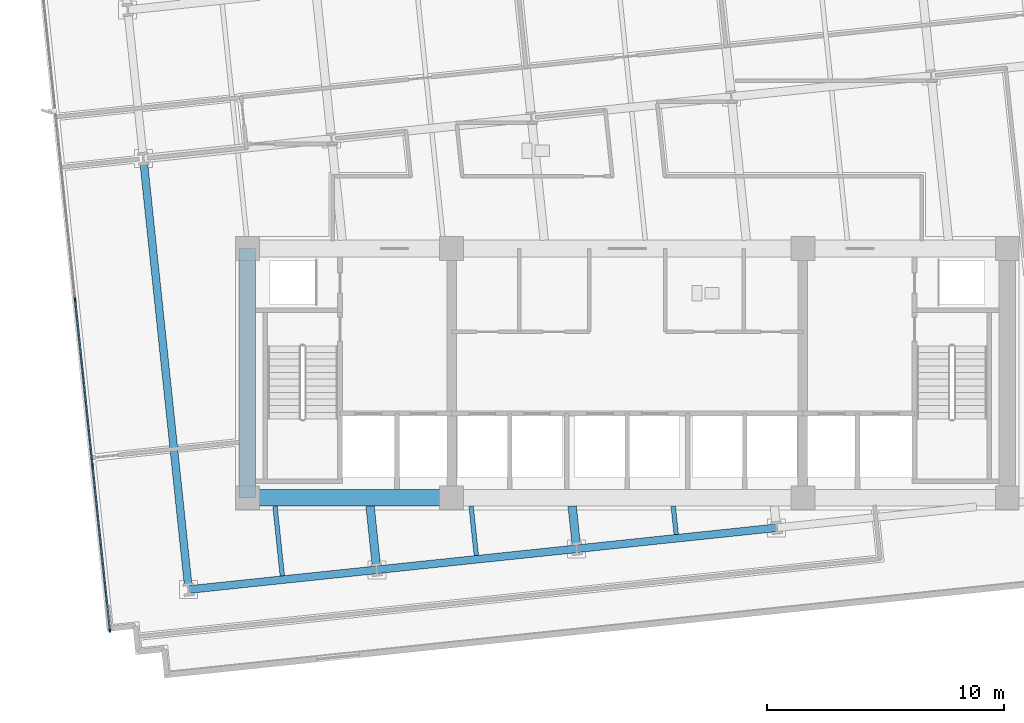
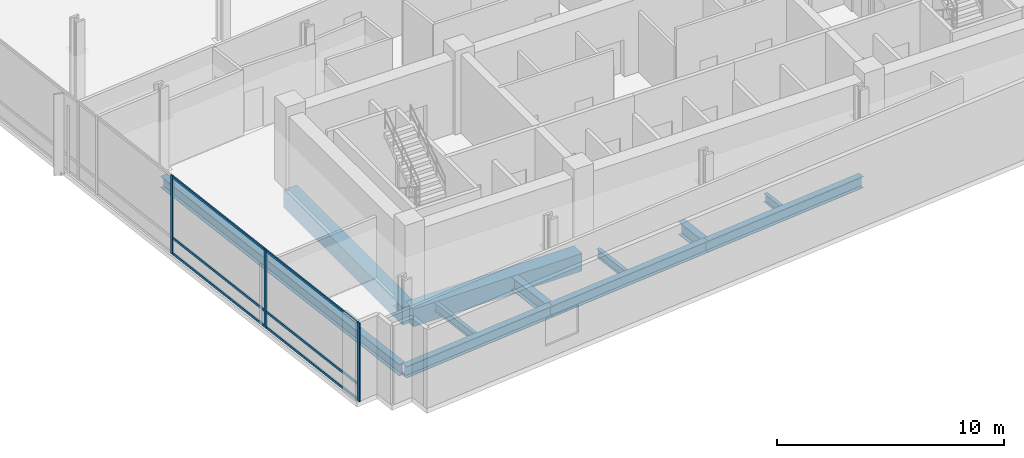
# One storey, part 2 of 20: 11 beams, 9 members, 1 element without a shape of its own.
"""IFC4 building model written with IfcOpenShell, lengths in metres."""

from ifc_helpers import new_model, si_unit, direction, frame, origin, origin_2d, place, context, subcontext, project, spatial, rectangle, i_section, extrude, material, material_profile, profile_set, type_object, element, aggregate, save


model = new_model("IFC4")

# Units and contexts
model_context = context("Model", 3, precision=1e-05, world=origin(), true_north=direction((0.0, 1.0)))
body_context = subcontext(model_context, "Body", "Model", "MODEL_VIEW")
ifc_project = project(units=[si_unit("LENGTHUNIT", "METRE"), si_unit("AREAUNIT", "SQUARE_METRE"), si_unit("VOLUMEUNIT", "CUBIC_METRE"), si_unit("PLANEANGLEUNIT", "RADIAN"), si_unit("MASSUNIT", "GRAM", prefix="KILO")], contexts=[model_context])

# Site, building, storey
site_placement = place(None, origin())
site = spatial("IfcSite", under=ifc_project, at=site_placement, CompositionType="ELEMENT")
building_placement = place(site_placement, origin())
building = spatial("IfcBuilding", under=site, at=building_placement, Name="Solmavex Isthmus Hotel", CompositionType="ELEMENT")
storey_placement = place(building_placement, frame((0.0, 0.0, 97.35009765625)))
storey = spatial("IfcBuildingStorey", under=building, at=storey_placement, Name="L26", CompositionType="ELEMENT", Elevation=97.35009765625)

# Beams
ifc_material_1 = material(Name="Steel ASTM A992 Grade 50", Category="steel")
ifc_material_profile_1 = material_profile(ifc_material_1, i_section(OverallWidth=0.354736328125, OverallDepth=0.695556640625, WebThickness=0.015380859375, FlangeThickness=0.02490234375, FilletRadius=0.017822265625, at=origin_2d()), Name="W27X146")
ifc_profile_set_1 = profile_set([ifc_material_profile_1], Name="Steel ASTM A992 Grade 50")
beam_type_1 = type_object("IfcBeamType", Name="BM-BG-W27X146", PredefinedType="BEAM", material=ifc_profile_set_1)
beam_1_placement = place(storey_placement, frame((-10.568115234375, -15.868896484375, -0.60791015625), z_axis=(-0.104589444628, 0.994515484079, 0.0), x_axis=(-0.994515484079, -0.104589444628, 0.0)))
element("IfcBeam", 1, at=beam_1_placement, inside=storey, type_object=beam_type_1, Name="Floor Beam L26-VG28", PredefinedType="BEAM", context=body_context, shape_type="SweptSolid", body=[
    extrude(i_section(OverallWidth=0.354736328125, OverallDepth=0.695556640625, WebThickness=0.015380859375, FlangeThickness=0.02490234375, FilletRadius=0.017822265625, at=origin_2d()), origin(), (0.0, 0.0, 1.0), 2.53271484375),
])
beam_2_placement = place(storey_placement, frame((-2.148681640625, -14.984130859375, -0.60791015625), z_axis=(-0.104460468373, 0.99452903957, 0.0), x_axis=(-0.99452903957, -0.104460468373, 0.0)))
element("IfcBeam", 2, at=beam_2_placement, inside=storey, type_object=beam_type_1, Name="Floor Beam L26-VG32", PredefinedType="BEAM", context=body_context, shape_type="SweptSolid", body=[
    extrude(i_section(OverallWidth=0.354736328125, OverallDepth=0.695556640625, WebThickness=0.015380859375, FlangeThickness=0.02490234375, FilletRadius=0.017822265625, at=origin_2d()), origin(), (0.0, 0.0, 1.0), 1.64306640625),
])
ifc_material_profile_2 = material_profile(ifc_material_1, i_section(OverallWidth=0.1904296875, OverallDepth=0.456787109375, WebThickness=0.009033203125, FlangeThickness=0.014404296875, FilletRadius=0.0126953125, at=origin_2d()), Name="W18X50")
ifc_profile_set_2 = profile_set([ifc_material_profile_2], Name="Steel ASTM A992 Grade 50")
beam_type_2 = type_object("IfcBeamType", Name="BM-BJ-W18X50", PredefinedType="JOIST", material=ifc_profile_set_2)
beam_3_placement = place(storey_placement, frame((-14.5302734375, -16.285400390625, -0.488525390625), z_axis=(-0.104555607512, 0.994519042019, 0.0), x_axis=(-0.994519042019, -0.104555607512, 0.0)))
element("IfcBeam", 3, at=beam_3_placement, inside=storey, type_object=beam_type_2, Name="Secondary Floor Joist L26-J01", PredefinedType="JOIST", context=body_context, shape_type="SweptSolid", body=[
    extrude(i_section(OverallWidth=0.1904296875, OverallDepth=0.456787109375, WebThickness=0.009033203125, FlangeThickness=0.014404296875, FilletRadius=0.0126953125, at=origin_2d()), origin(), (0.0, 0.0, 1.0), 2.951416015625),
])
beam_4_placement = place(storey_placement, frame((-6.3583984375, -15.426513671875, -0.488525390625), z_axis=(-0.104538696399, 0.99452081977, 0.0), x_axis=(-0.99452081977, -0.104538696399, 0.0)))
element("IfcBeam", 4, at=beam_4_placement, inside=storey, type_object=beam_type_2, Name="Secondary Floor Joist L26-J05", PredefinedType="JOIST", context=body_context, shape_type="SweptSolid", body=[
    extrude(i_section(OverallWidth=0.1904296875, OverallDepth=0.456787109375, WebThickness=0.009033203125, FlangeThickness=0.014404296875, FilletRadius=0.0126953125, at=origin_2d()), origin(), (0.0, 0.0, 1.0), 2.087890625),
])
beam_5_placement = place(storey_placement, frame((2.061279296875, -14.54150390625, -0.488525390625), z_axis=(-0.104546872872, 0.994519960269, 0.0), x_axis=(-0.994519960269, -0.104546872872, 0.0)))
element("IfcBeam", 5, at=beam_5_placement, inside=storey, type_object=beam_type_2, Name="Secondary Floor Joist L26-J09", PredefinedType="JOIST", context=body_context, shape_type="SweptSolid", body=[
    extrude(i_section(OverallWidth=0.1904296875, OverallDepth=0.456787109375, WebThickness=0.009033203125, FlangeThickness=0.014404296875, FilletRadius=0.0126953125, at=origin_2d()), origin(), (0.0, 0.0, 1.0), 1.197998046875),
])
ifc_material_2 = material(Name="Concrete C60/75", Category="concrete")
ifc_material_profile_3 = material_profile(ifc_material_2, rectangle(XDim=0.699951171875, YDim=0.949951171875, at=origin_2d()), Name="RC700X950")
ifc_profile_set_3 = profile_set([ifc_material_profile_3], Name="Concrete C60/75")
beam_type_3 = type_object("IfcBeamType", Name="BM-CB-700X950", PredefinedType="BEAM", material=ifc_profile_set_3)
beam_6_placement = place(storey_placement, frame((-16.0, -13.0, -0.735107421875), z_axis=(1.0, 0.0, 0.0), x_axis=(0.0, 1.0, 0.0)))
element("IfcBeam", 6, at=beam_6_placement, inside=storey, type_object=beam_type_3, Name="Core Coupling Beam L26-CB1", PredefinedType="BEAM", context=body_context, shape_type="SweptSolid", body=[
    extrude(rectangle(XDim=0.699951171875, YDim=0.949951171875, at=origin_2d()), origin(), (0.0, 0.0, 1.0), 8.60009765625),
])
beam_7_placement = place(storey_placement, frame((-16.0, -13.0, -0.735107421875), z_axis=(0.0, 1.0, 0.0), x_axis=(-1.0, 0.0, 0.0)))
element("IfcBeam", 7, at=beam_7_placement, inside=storey, type_object=beam_type_3, Name="Core Coupling Beam L26-CB7", PredefinedType="BEAM", context=body_context, shape_type="SweptSolid", body=[
    extrude(rectangle(XDim=0.699951171875, YDim=0.949951171875, at=origin_2d()), origin(), (0.0, 0.0, 1.0), 10.5),
])
ifc_material_profile_4 = material_profile(ifc_material_1, i_section(OverallWidth=0.326416015625, OverallDepth=0.621826171875, WebThickness=0.015380859375, FlangeThickness=0.0244140625, FilletRadius=0.01513671875, at=origin_2d()), Name="W24X131")
ifc_profile_set_4 = profile_set([ifc_material_profile_4], Name="Steel ASTM A992 Grade 50")
beam_type_4 = type_object("IfcBeamType", Name="BM-SP-W24X131", PredefinedType="SPANDREL", material=ifc_profile_set_4)
beam_8_placement = place(storey_placement, frame((-18.475341796875, -16.8642578125, -0.571044921875), z_axis=(0.994523402738, 0.104514120609, 0.0), x_axis=(-0.104514120609, 0.994523402738, 0.0)))
element("IfcBeam", 8, at=beam_8_placement, inside=storey, type_object=beam_type_4, Name="Floor Girder L26-UG01", PredefinedType="SPANDREL", context=body_context, shape_type="SweptSolid", body=[
    extrude(i_section(OverallWidth=0.326416015625, OverallDepth=0.621826171875, WebThickness=0.015380859375, FlangeThickness=0.0244140625, FilletRadius=0.01513671875, at=origin_2d()), origin(), (0.0, 0.0, 1.0), 7.968017578125),
])
beam_9_placement = place(storey_placement, frame((-10.551025390625, -16.031494140625, -0.571044921875), z_axis=(0.994520770064, 0.104539169271, 0.0), x_axis=(-0.104539169271, 0.994520770064, 0.0)))
element("IfcBeam", 9, at=beam_9_placement, inside=storey, type_object=beam_type_4, Name="Floor Girder L26-UG02", PredefinedType="SPANDREL", context=body_context, shape_type="SweptSolid", body=[
    extrude(i_section(OverallWidth=0.326416015625, OverallDepth=0.621826171875, WebThickness=0.015380859375, FlangeThickness=0.0244140625, FilletRadius=0.01513671875, at=origin_2d()), origin(), (0.0, 0.0, 1.0), 8.4658203125),
])
beam_10_placement = place(storey_placement, frame((-2.131591796875, -15.146484375, -0.571044921875), z_axis=(0.994521085209, 0.104536171134, 0.0), x_axis=(-0.104536171134, 0.994521085209, 0.0)))
element("IfcBeam", 10, at=beam_10_placement, inside=storey, type_object=beam_type_4, Name="Floor Girder L26-UG03", PredefinedType="SPANDREL", context=body_context, shape_type="SweptSolid", body=[
    extrude(i_section(OverallWidth=0.326416015625, OverallDepth=0.621826171875, WebThickness=0.015380859375, FlangeThickness=0.0244140625, FilletRadius=0.01513671875, at=origin_2d()), origin(), (0.0, 0.0, 1.0), 8.466064453125),
])
beam_11_placement = place(storey_placement, frame((-18.492431640625, -16.701904296875, -0.571044921875), z_axis=(-0.104530088192, 0.99452172458, 0.0), x_axis=(-0.99452172458, -0.104530088192, 0.0)))
element("IfcBeam", 11, at=beam_11_placement, inside=storey, type_object=beam_type_4, Name="Floor Beam L26-VG25", PredefinedType="SPANDREL", context=body_context, shape_type="SweptSolid", body=[
    extrude(i_section(OverallWidth=0.326416015625, OverallDepth=0.621826171875, WebThickness=0.015380859375, FlangeThickness=0.0244140625, FilletRadius=0.01513671875, at=origin_2d()), origin(), (0.0, 0.0, 1.0), 17.909423828125),
])

# Curtain wall, members
ifc_material_3 = material(Name="Aluminium alloy 6063-T6", Category="aluminium")
curtain_wall_type = type_object("IfcCurtainWallType", Name="CW-SYS-05", PredefinedType="NOTDEFINED", material=ifc_material_3)
curtain_wall_placement = place(storey_placement, origin())
curtain_wall = element("IfcCurtainWall", 12, at=curtain_wall_placement, inside=storey, type_object=curtain_wall_type, Name="Stick Curtain Wall CWL-L26-W1", PredefinedType="NOTDEFINED")
ifc_material_profile_5 = material_profile(ifc_material_3, rectangle(XDim=0.06494140625, YDim=0.159912109375, at=origin_2d()), Name="CWM-65X160")
ifc_profile_set_5 = profile_set([ifc_material_profile_5], Name="Aluminium alloy 6063-T6")
member_type_1 = type_object("IfcMemberType", Name="CW-SYS-05-MUL", PredefinedType="MULLION", material=ifc_profile_set_5)
member_1_placement = place(storey_placement, frame((-21.79345703125, -18.588134765625, 0.0), z_axis=(0.0, 0.0, 1.0), x_axis=(-0.994521893044, -0.104528485381, 0.0)))
member_1 = element("IfcMember", 13, at=member_1_placement, type_object=member_type_1, Name="CW-05 mullion 1", PredefinedType="MULLION", context=body_context, shape_type="SweptSolid", body=[
    extrude(rectangle(XDim=0.06494140625, YDim=0.159912109375, at=origin_2d()), origin(), (0.0, 0.0, 1.0), 4.239990234375),
])
member_2_placement = place(storey_placement, frame((-22.52392578125, -11.638916015625, 0.0), z_axis=(0.0, 0.0, 1.0), x_axis=(-0.994521893044, -0.104528485381, 0.0)))
member_2 = element("IfcMember", 14, at=member_2_placement, type_object=member_type_1, Name="CW-05 mullion 2", PredefinedType="MULLION", context=body_context, shape_type="SweptSolid", body=[
    extrude(rectangle(XDim=0.06494140625, YDim=0.159912109375, at=origin_2d()), origin(), (0.0, 0.0, 1.0), 4.239990234375),
])
member_3_placement = place(storey_placement, frame((-23.257568359375, -4.6572265625, 0.0), z_axis=(0.0, 0.0, 1.0), x_axis=(-0.994521893044, -0.104528485381, 0.0)))
member_3 = element("IfcMember", 15, at=member_3_placement, type_object=member_type_1, Name="CW-05 mullion 3", PredefinedType="MULLION", context=body_context, shape_type="SweptSolid", body=[
    extrude(rectangle(XDim=0.06494140625, YDim=0.159912109375, at=origin_2d()), origin(), (0.0, 0.0, 1.0), 4.239990234375),
])
ifc_material_profile_6 = material_profile(ifc_material_3, rectangle(XDim=0.06494140625, YDim=0.125, at=origin_2d()), Name="CWT-65X125")
ifc_profile_set_6 = profile_set([ifc_material_profile_6], Name="Aluminium alloy 6063-T6")
member_type_2 = type_object("IfcMemberType", Name="CW-SYS-05-TRN", PredefinedType="USERDEFINED", material=ifc_profile_set_6)
member_4_placement = place(storey_placement, frame((-21.796875, -18.5556640625, 0.0625), z_axis=(-0.10453424226, 0.994521287955, 0.0), x_axis=(-0.994521287955, -0.10453424226, 0.0)))
member_4 = element("IfcMember", 16, at=member_4_placement, type_object=member_type_2, Name="CW-05 transom 1.1", ObjectType="TRANSOM", PredefinedType="USERDEFINED", context=body_context, shape_type="SweptSolid", body=[
    extrude(rectangle(XDim=0.06494140625, YDim=0.125, at=origin_2d()), origin(), (0.0, 0.0, 1.0), 6.92236328125),
])
member_5_placement = place(storey_placement, frame((-21.796875, -18.5556640625, 0.89990234375), z_axis=(-0.10453424226, 0.994521287955, 0.0), x_axis=(-0.994521287955, -0.10453424226, 0.0)))
member_5 = element("IfcMember", 17, at=member_5_placement, type_object=member_type_2, Name="CW-05 transom 1.2", ObjectType="TRANSOM", PredefinedType="USERDEFINED", context=body_context, shape_type="SweptSolid", body=[
    extrude(rectangle(XDim=0.06494140625, YDim=0.125, at=origin_2d()), origin(), (0.0, 0.0, 1.0), 6.92236328125),
])
member_6_placement = place(storey_placement, frame((-21.796875, -18.5556640625, 4.177490234375), z_axis=(-0.10453424226, 0.994521287955, 0.0), x_axis=(-0.994521287955, -0.10453424226, 0.0)))
member_6 = element("IfcMember", 18, at=member_6_placement, type_object=member_type_2, Name="CW-05 transom 1.3", ObjectType="TRANSOM", PredefinedType="USERDEFINED", context=body_context, shape_type="SweptSolid", body=[
    extrude(rectangle(XDim=0.06494140625, YDim=0.125, at=origin_2d()), origin(), (0.0, 0.0, 1.0), 6.92236328125),
])
member_7_placement = place(storey_placement, frame((-22.52734375, -11.6064453125, 0.0625), z_axis=(-0.10450387823, 0.994524479053, 0.0), x_axis=(-0.994524479053, -0.10450387823, 0.0)))
member_7 = element("IfcMember", 19, at=member_7_placement, type_object=member_type_2, Name="CW-05 transom 2.1", ObjectType="TRANSOM", PredefinedType="USERDEFINED", context=body_context, shape_type="SweptSolid", body=[
    extrude(rectangle(XDim=0.06494140625, YDim=0.125, at=origin_2d()), origin(), (0.0, 0.0, 1.0), 6.954833984375),
])
member_8_placement = place(storey_placement, frame((-22.52734375, -11.6064453125, 0.89990234375), z_axis=(-0.10450387823, 0.994524479053, 0.0), x_axis=(-0.994524479053, -0.10450387823, 0.0)))
member_8 = element("IfcMember", 20, at=member_8_placement, type_object=member_type_2, Name="CW-05 transom 2.2", ObjectType="TRANSOM", PredefinedType="USERDEFINED", context=body_context, shape_type="SweptSolid", body=[
    extrude(rectangle(XDim=0.06494140625, YDim=0.125, at=origin_2d()), origin(), (0.0, 0.0, 1.0), 6.954833984375),
])
member_9_placement = place(storey_placement, frame((-22.52734375, -11.6064453125, 4.177490234375), z_axis=(-0.10450387823, 0.994524479053, 0.0), x_axis=(-0.994524479053, -0.10450387823, 0.0)))
member_9 = element("IfcMember", 21, at=member_9_placement, type_object=member_type_2, Name="CW-05 transom 2.3", ObjectType="TRANSOM", PredefinedType="USERDEFINED", context=body_context, shape_type="SweptSolid", body=[
    extrude(rectangle(XDim=0.06494140625, YDim=0.125, at=origin_2d()), origin(), (0.0, 0.0, 1.0), 6.954833984375),
])
aggregate(curtain_wall, [member_1, member_2, member_3, member_4, member_5, member_6, member_7, member_8, member_9])

save(model, "model.ifc")
